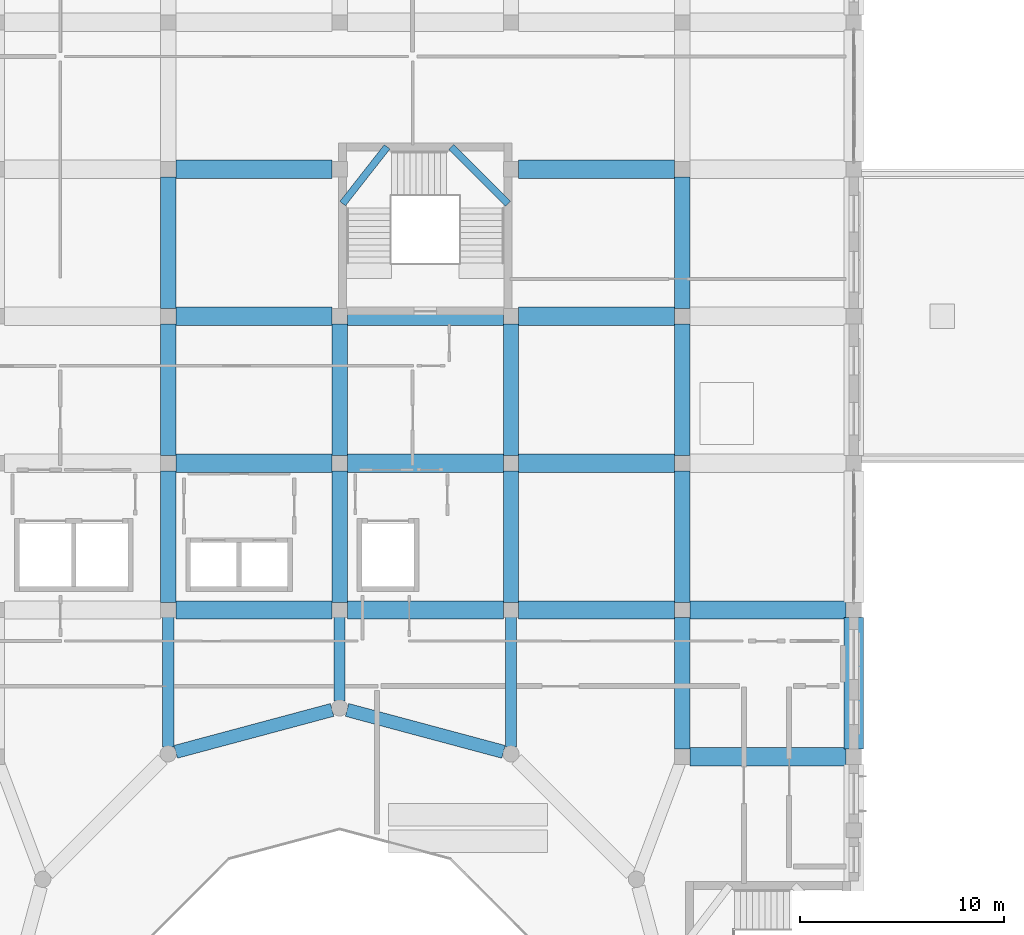
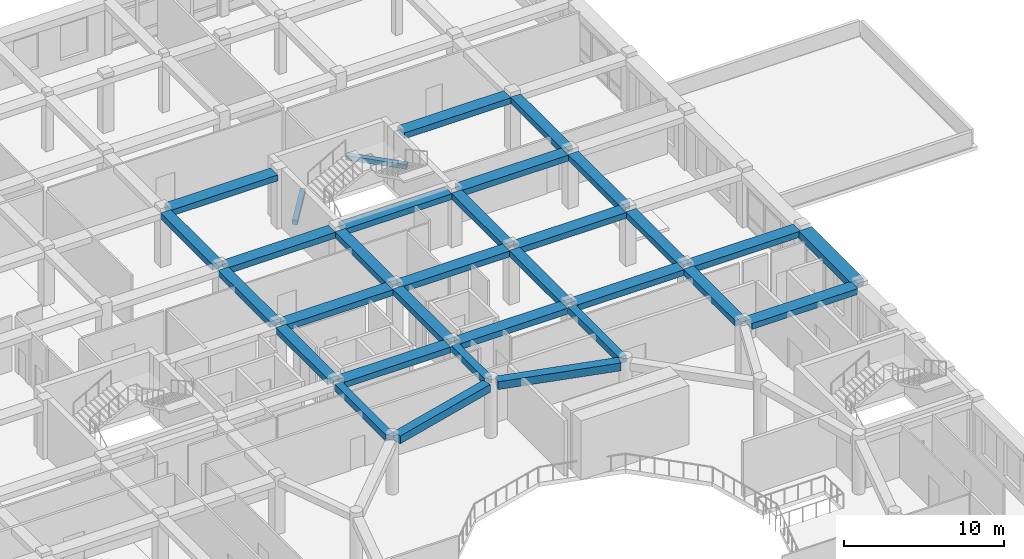
# One storey, part 45 of 121: 32 beams.
"""IFC4 building model written with IfcOpenShell, lengths in metres."""

from ifc_helpers import new_model, si_unit, derived_unit, direction, frame, origin, origin_2d, place, context, subcontext, project, spatial, rectangle, extrude, material, material_profile, profile_set, type_object, element, save


model = new_model("IFC4")

# Units and contexts
model_context = context("Model", 3, precision=1e-05, world=origin(), true_north=direction((0.0, 1.0)))
body_context = subcontext(model_context, "Body", "Model", "MODEL_VIEW")
ifc_project = project(units=[si_unit("LENGTHUNIT", "METRE"), si_unit("AREAUNIT", "SQUARE_METRE"), si_unit("VOLUMEUNIT", "CUBIC_METRE"), si_unit("PLANEANGLEUNIT", "RADIAN"), si_unit("MASSUNIT", "GRAM", prefix="KILO"), derived_unit("THERMALTRANSMITTANCEUNIT", [(si_unit("POWERUNIT", "WATT"), 1), (si_unit("LENGTHUNIT", "METRE"), -2), (si_unit("THERMODYNAMICTEMPERATUREUNIT", "KELVIN"), -1)])], contexts=[model_context])

# Site, building, storey
site_placement = place(None, origin())
site = spatial("IfcSite", under=ifc_project, at=site_placement, CompositionType="ELEMENT")
building_placement = place(site_placement, origin())
building = spatial("IfcBuilding", under=site, at=building_placement, Name="Veybourne Emporium", CompositionType="ELEMENT")
storey_placement = place(building_placement, frame((0.0, 0.0, 5.39990234375)))
storey = spatial("IfcBuildingStorey", under=building, at=storey_placement, Name="L01", CompositionType="ELEMENT", Elevation=5.39990234375)

# Beams
ifc_material = material(Name="Concrete C32/40", Category="concrete")
ifc_material_profile_1 = material_profile(ifc_material, rectangle(XDim=0.35009765625, YDim=0.35009765625, at=origin_2d()), Name="RC 350x350")
ifc_profile_set_1 = profile_set([ifc_material_profile_1], Name="Concrete C32/40")
beam_type_1 = type_object("IfcBeamType", Name="LandingBeam_LB-01", PredefinedType="BEAM", material=ifc_profile_set_1)
beam_1_placement = place(storey_placement, frame((75.75, 91.919921875, 1.125), z_axis=(0.617055197144, 0.786919871193, 0.0), x_axis=(-0.786919871193, 0.617055197144, 0.0)))
element("IfcBeam", 1, at=beam_1_placement, inside=storey, type_object=beam_type_1, Name="L01 ST-04 landing 1 support beam", PredefinedType="BEAM", context=body_context, shape_type="SweptSolid", body=[
    extrude(rectangle(XDim=0.35009765625, YDim=0.35009765625, at=origin_2d()), origin(), (0.0, 0.0, 1.0), 3.53271484375),
])
beam_2_placement = place(storey_placement, frame((81.070068359375, 94.699951171875, 2.625), z_axis=(0.707106781187, -0.707106781187, 0.0), x_axis=(0.707106781187, 0.707106781187, 0.0)))
element("IfcBeam", 2, at=beam_2_placement, inside=storey, type_object=beam_type_1, Name="L01 ST-04 landing 2 support beam", PredefinedType="BEAM", context=body_context, shape_type="SweptSolid", body=[
    extrude(rectangle(XDim=0.35009765625, YDim=0.35009765625, at=origin_2d()), origin(), (0.0, 0.0, 1.0), 3.931640625),
])
ifc_material_profile_2 = material_profile(ifc_material, rectangle(XDim=0.89990234375, YDim=0.449951171875, at=origin_2d()), Name="RC 900x450")
ifc_profile_set_2 = profile_set([ifc_material_profile_2], Name="Concrete C32/40")
beam_type_2 = type_object("IfcBeamType", Name="RCBeam_BB-03", PredefinedType="BEAM", material=ifc_profile_set_2)
for number, where, z_axis, x_axis, name in (
    (3, (67.574951171875, 72.0, 3.955078125), (1.0, 0.0, 0.0), (0.0, 1.0, 0.0), "L01 X-grid beam BB-03 (8,10)"),
    (4, (67.574951171875, 79.199951171875, 3.955078125), (1.0, 0.0, 0.0), (0.0, 1.0, 0.0), "L01 X-grid beam BB-03 (8,11)"),
    (5, (67.574951171875, 86.39990234375, 3.955078125), (1.0, 0.0, 0.0), (0.0, 1.0, 0.0), "L01 X-grid beam BB-03 (8,12)"),
    (6, (67.574951171875, 93.60009765625, 3.955078125), (1.0, 0.0, 0.0), (0.0, 1.0, 0.0), "L01 X-grid beam BB-03 (8,13)"),
):
    element("IfcBeam", number, at=place(storey_placement, frame(where, z_axis=z_axis, x_axis=x_axis)), inside=storey, type_object=beam_type_2, Name=name, PredefinedType="BEAM", context=body_context, shape_type="SweptSolid", body=[
        extrude(rectangle(XDim=0.89990234375, YDim=0.449951171875, at=origin_2d()), origin(), (0.0, 0.0, 1.0), 7.650146484375),
    ])
for number, where, z_axis, x_axis, name in (
    (7, (75.97509765625, 72.0, 3.955078125), (1.0, 0.0, 0.0), (0.0, 1.0, 0.0), "L01 X-grid beam BB-03 (9,10)"),
    (8, (75.97509765625, 79.199951171875, 3.955078125), (1.0, 0.0, 0.0), (0.0, 1.0, 0.0), "L01 X-grid beam BB-03 (9,11)"),
    (9, (75.97509765625, 86.39990234375, 3.955078125), (1.0, 0.0, 0.0), (0.0, 1.0, 0.0), "L01 X-grid beam BB-03 (9,12)"),
    (10, (84.375, 72.0, 3.955078125), (1.0, 0.0, 0.0), (0.0, 1.0, 0.0), "L01 X-grid beam BB-03 (10,10)"),
    (11, (84.375, 79.199951171875, 3.955078125), (1.0, 0.0, 0.0), (0.0, 1.0, 0.0), "L01 X-grid beam BB-03 (10,11)"),
    (12, (84.375, 86.39990234375, 3.955078125), (1.0, 0.0, 0.0), (0.0, 1.0, 0.0), "L01 X-grid beam BB-03 (10,12)"),
    (13, (84.375, 93.60009765625, 3.955078125), (1.0, 0.0, 0.0), (0.0, 1.0, 0.0), "L01 X-grid beam BB-03 (10,13)"),
):
    element("IfcBeam", number, at=place(storey_placement, frame(where, z_axis=z_axis, x_axis=x_axis)), inside=storey, type_object=beam_type_2, Name=name, PredefinedType="BEAM", context=body_context, shape_type="SweptSolid", body=[
        extrude(rectangle(XDim=0.89990234375, YDim=0.449951171875, at=origin_2d()), origin(), (0.0, 0.0, 1.0), 7.64990234375),
    ])
for number, where, z_axis, x_axis, name in (
    (14, (92.77490234375, 64.800048828125, 3.955078125), (1.0, 0.0, 0.0), (0.0, 1.0, 0.0), "L01 X-grid beam BB-03 (11,9)"),
    (15, (92.77490234375, 72.0, 3.955078125), (1.0, 0.0, 0.0), (0.0, 1.0, 0.0), "L01 X-grid beam BB-03 (11,10)"),
):
    element("IfcBeam", number, at=place(storey_placement, frame(where, z_axis=z_axis, x_axis=x_axis)), inside=storey, type_object=beam_type_2, Name=name, PredefinedType="BEAM", context=body_context, shape_type="SweptSolid", body=[
        extrude(rectangle(XDim=0.89990234375, YDim=0.449951171875, at=origin_2d()), origin(), (0.0, 0.0, 1.0), 7.650146484375),
    ])
ifc_material_profile_3 = material_profile(ifc_material, rectangle(XDim=0.75, YDim=0.449951171875, at=origin_2d()), Name="RC 750x450")
ifc_profile_set_3 = profile_set([ifc_material_profile_3], Name="Concrete C32/40")
beam_type_3 = type_object("IfcBeamType", Name="RCBeam_BB-04", PredefinedType="BEAM", material=ifc_profile_set_3)
for number, where, z_axis, x_axis, name in (
    (16, (67.199951171875, 72.375, 3.955078125), (0.0, 1.0, 0.0), (-1.0, 0.0, 0.0), "L01 Y-grid beam BB-04 (8,10)"),
    (17, (67.199951171875, 79.574951171875, 3.955078125), (0.0, 1.0, 0.0), (-1.0, 0.0, 0.0), "L01 Y-grid beam BB-04 (8,11)"),
):
    element("IfcBeam", number, at=place(storey_placement, frame(where, z_axis=z_axis, x_axis=x_axis)), inside=storey, type_object=beam_type_3, Name=name, PredefinedType="BEAM", context=body_context, shape_type="SweptSolid", body=[
        extrude(rectangle(XDim=0.75, YDim=0.449951171875, at=origin_2d()), origin(), (0.0, 0.0, 1.0), 6.449951171875),
    ])
beam_3_placement = place(storey_placement, frame((67.199951171875, 86.77490234375, 3.955078125), z_axis=(0.0, 1.0, 0.0), x_axis=(-1.0, 0.0, 0.0)))
element("IfcBeam", 18, at=beam_3_placement, inside=storey, type_object=beam_type_3, Name="L01 Y-grid beam BB-04 (8,12)", PredefinedType="BEAM", context=body_context, shape_type="SweptSolid", body=[
    extrude(rectangle(XDim=0.75, YDim=0.449951171875, at=origin_2d()), origin(), (0.0, 0.0, 1.0), 6.4501953125),
])
for number, where, z_axis, x_axis, name in (
    (19, (75.60009765625, 72.375, 3.955078125), (0.0, 1.0, 0.0), (-1.0, 0.0, 0.0), "L01 Y-grid beam BB-04 (9,10)"),
    (20, (75.60009765625, 79.574951171875, 3.955078125), (0.0, 1.0, 0.0), (-1.0, 0.0, 0.0), "L01 Y-grid beam BB-04 (9,11)"),
    (21, (84.0, 72.375, 3.955078125), (0.0, 1.0, 0.0), (-1.0, 0.0, 0.0), "L01 Y-grid beam BB-04 (10,10)"),
    (22, (84.0, 79.574951171875, 3.955078125), (0.0, 1.0, 0.0), (-1.0, 0.0, 0.0), "L01 Y-grid beam BB-04 (10,11)"),
    (23, (92.39990234375, 65.175048828125, 3.955078125), (0.0, 1.0, 0.0), (-1.0, 0.0, 0.0), "L01 Y-grid beam BB-04 (11,9)"),
    (24, (92.39990234375, 72.375, 3.955078125), (0.0, 1.0, 0.0), (-1.0, 0.0, 0.0), "L01 Y-grid beam BB-04 (11,10)"),
    (25, (92.39990234375, 79.574951171875, 3.955078125), (0.0, 1.0, 0.0), (-1.0, 0.0, 0.0), "L01 Y-grid beam BB-04 (11,11)"),
):
    element("IfcBeam", number, at=place(storey_placement, frame(where, z_axis=z_axis, x_axis=x_axis)), inside=storey, type_object=beam_type_3, Name=name, PredefinedType="BEAM", context=body_context, shape_type="SweptSolid", body=[
        extrude(rectangle(XDim=0.75, YDim=0.449951171875, at=origin_2d()), origin(), (0.0, 0.0, 1.0), 6.449951171875),
    ])
beam_4_placement = place(storey_placement, frame((92.39990234375, 86.77490234375, 3.955078125), z_axis=(0.0, 1.0, 0.0), x_axis=(-1.0, 0.0, 0.0)))
element("IfcBeam", 26, at=beam_4_placement, inside=storey, type_object=beam_type_3, Name="L01 Y-grid beam BB-04 (11,12)", PredefinedType="BEAM", context=body_context, shape_type="SweptSolid", body=[
    extrude(rectangle(XDim=0.75, YDim=0.449951171875, at=origin_2d()), origin(), (0.0, 0.0, 1.0), 6.4501953125),
])
ifc_material_profile_4 = material_profile(ifc_material, rectangle(XDim=0.949951171875, YDim=0.550048828125, at=origin_2d()), Name="RC 950x550")
ifc_profile_set_4 = profile_set([ifc_material_profile_4], Name="Concrete C32/40")
beam_type_4 = type_object("IfcBeamType", Name="RCBeam_EB-01", PredefinedType="SPANDREL", material=ifc_profile_set_4)
beam_5_placement = place(storey_placement, frame((100.800048828125, 65.175048828125, 3.905029296875), z_axis=(0.0, 1.0, 0.0), x_axis=(-1.0, 0.0, 0.0)))
element("IfcBeam", 27, at=beam_5_placement, inside=storey, type_object=beam_type_4, Name="L01 Y-grid beam EB-01 (12,9)", PredefinedType="SPANDREL", context=body_context, shape_type="SweptSolid", body=[
    extrude(rectangle(XDim=0.949951171875, YDim=0.550048828125, at=origin_2d()), origin(), (0.0, 0.0, 1.0), 6.449951171875),
])
ifc_material_profile_5 = material_profile(ifc_material, rectangle(XDim=0.64990234375, YDim=0.60009765625, at=origin_2d()), Name="RC 650x600")
ifc_profile_set_5 = profile_set([ifc_material_profile_5], Name="Concrete C32/40")
beam_type_5 = type_object("IfcBeamType", Name="RCBeam_EB-02", PredefinedType="BEAM", material=ifc_profile_set_5)
beam_6_placement = place(storey_placement, frame((83.633056640625, 65.047607421875, 3.880126953125), z_axis=(-0.965930476153, 0.258801690951, 0.0), x_axis=(-0.258801690951, -0.965930476153, 0.0)))
element("IfcBeam", 28, at=beam_6_placement, inside=storey, type_object=beam_type_5, Name="Atrium ring beam EB-02 L01-03", PredefinedType="BEAM", context=body_context, shape_type="SweptSolid", body=[
    extrude(rectangle(XDim=0.64990234375, YDim=0.60009765625, at=origin_2d()), origin(), (0.0, 0.0, 1.0), 7.9365234375),
])
beam_7_placement = place(storey_placement, frame((75.23291015625, 67.1015625, 3.880126953125), z_axis=(-0.965928415666, -0.258809381222, 0.0), x_axis=(0.258809381222, -0.965928415666, 0.0)))
element("IfcBeam", 29, at=beam_7_placement, inside=storey, type_object=beam_type_5, Name="Atrium ring beam EB-02 L01-04", PredefinedType="BEAM", context=body_context, shape_type="SweptSolid", body=[
    extrude(rectangle(XDim=0.64990234375, YDim=0.60009765625, at=origin_2d()), origin(), (0.0, 0.0, 1.0), 7.936279296875),
])
ifc_material_profile_6 = material_profile(ifc_material, rectangle(XDim=0.550048828125, YDim=0.5, at=origin_2d()), Name="RC 550x500")
ifc_profile_set_6 = profile_set([ifc_material_profile_6], Name="Concrete C32/40")
beam_type_6 = type_object("IfcBeamType", Name="RCBeam_TB-01", PredefinedType="BEAM", material=ifc_profile_set_6)
beam_8_placement = place(storey_placement, frame((84.0, 65.289306640625, 3.93017578125), z_axis=(0.0, 1.0, 0.0), x_axis=(-1.0, 0.0, 0.0)))
element("IfcBeam", 30, at=beam_8_placement, inside=storey, type_object=beam_type_6, Name="Atrium radial tie beam L01-03", PredefinedType="BEAM", context=body_context, shape_type="SweptSolid", body=[
    extrude(rectangle(XDim=0.550048828125, YDim=0.5, at=origin_2d()), origin(), (0.0, 0.0, 1.0), 6.395751953125),
])
beam_9_placement = place(storey_placement, frame((75.60009765625, 67.5400390625, 3.93017578125), z_axis=(0.0, 1.0, 0.0), x_axis=(-1.0, 0.0, 0.0)))
element("IfcBeam", 31, at=beam_9_placement, inside=storey, type_object=beam_type_6, Name="Atrium radial tie beam L01-04", PredefinedType="BEAM", context=body_context, shape_type="SweptSolid", body=[
    extrude(rectangle(XDim=0.550048828125, YDim=0.5, at=origin_2d()), origin(), (0.0, 0.0, 1.0), 4.14501953125),
])
beam_10_placement = place(storey_placement, frame((67.199951171875, 65.289306640625, 3.93017578125), z_axis=(0.0, 1.0, 0.0), x_axis=(-1.0, 0.0, 0.0)))
element("IfcBeam", 32, at=beam_10_placement, inside=storey, type_object=beam_type_6, Name="Atrium radial tie beam L01-05", PredefinedType="BEAM", context=body_context, shape_type="SweptSolid", body=[
    extrude(rectangle(XDim=0.550048828125, YDim=0.5, at=origin_2d()), origin(), (0.0, 0.0, 1.0), 6.395751953125),
])

save(model, "model.ifc")
